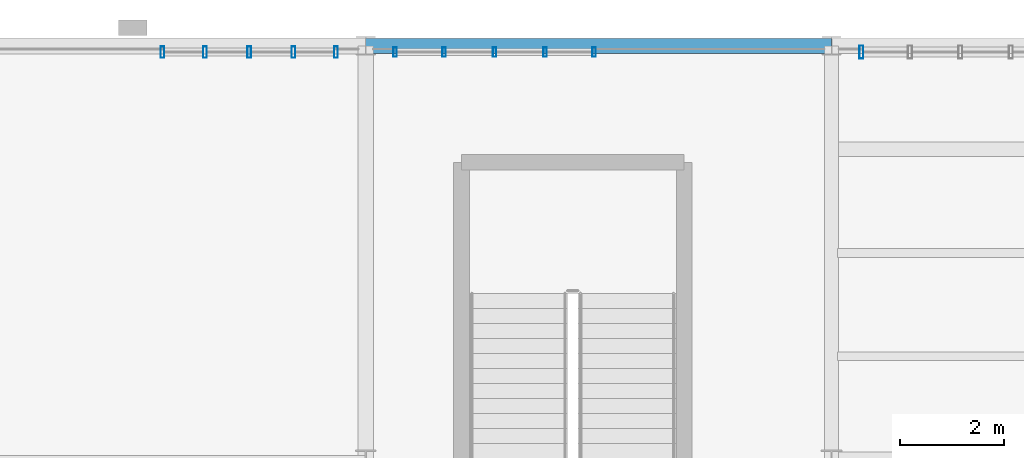
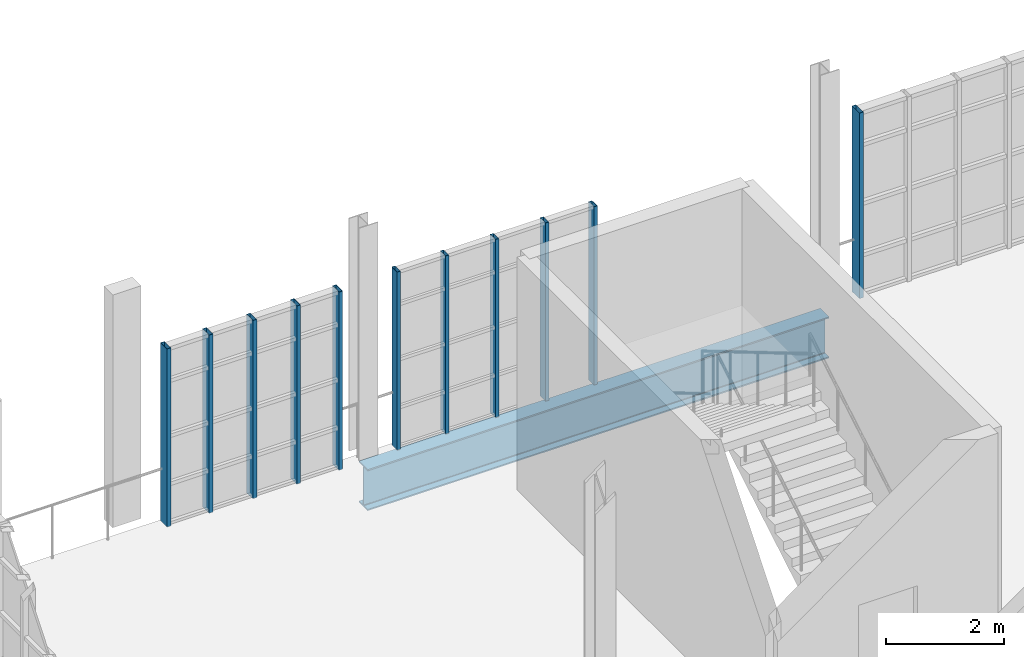
# One storey, part 48 of 122: 11 members, 1 beam, 3 elements without a shape of their own.
"""IFC4 building model written with IfcOpenShell, lengths in metres."""

from ifc_helpers import new_model, si_unit, direction, frame, origin, origin_2d, place, context, subcontext, project, spatial, hollow_rectangle, i_section, extrude, material, layer, layer_set, material_profile, profile_set, type_object, element, aggregate, save


model = new_model("IFC4")

# Units and contexts
model_context = context("Model", 3, precision=1e-05, world=origin(), true_north=direction((0.0, 1.0)))
body_context = subcontext(model_context, "Body", "Model", "MODEL_VIEW")
ifc_project = project(units=[si_unit("LENGTHUNIT", "METRE"), si_unit("AREAUNIT", "SQUARE_METRE"), si_unit("VOLUMEUNIT", "CUBIC_METRE"), si_unit("PLANEANGLEUNIT", "RADIAN"), si_unit("MASSUNIT", "GRAM", prefix="KILO"), si_unit("THERMODYNAMICTEMPERATUREUNIT", "KELVIN"), si_unit("POWERUNIT", "WATT")], contexts=[model_context])

# Site, building, storey
site_placement = place(None, origin())
site = spatial("IfcSite", under=ifc_project, at=site_placement, CompositionType="ELEMENT")
building_placement = place(site_placement, origin())
building = spatial("IfcBuilding", under=site, at=building_placement, Name="Zelmaris Science Centre", CompositionType="ELEMENT")
storey_placement = place(building_placement, frame((0.0, 0.0, 10.800048828125)))
storey = spatial("IfcBuildingStorey", under=building, at=storey_placement, Name="L02", CompositionType="ELEMENT", Elevation=10.800048828125)

# Curtain wall, members
ifc_material_1 = material(Name="Anodised architectural aluminium 6063-T6", Category="aluminium")
ifc_layer_1 = layer(ifc_material_1, 0.2099609375, Name="Anodised architectural aluminium 6063-T6")
ifc_layer_set_1 = layer_set([ifc_layer_1], Name="Anodised architectural aluminium 6063-T6")
curtain_wall_type_1 = type_object("IfcCurtainWallType", Name="Curtain Wall CW-03", PredefinedType="USERDEFINED", material=ifc_layer_set_1)
curtain_wall_1_placement = place(storey_placement, origin())
curtain_wall_1 = element("IfcCurtainWall", 1, at=curtain_wall_1_placement, inside=storey, type_object=curtain_wall_type_1, Name="L02 Unitised curtain wall 207", ObjectType="GLAZED CURTAIN WALL", PredefinedType="USERDEFINED")
ifc_material_profile_1 = material_profile(ifc_material_1, hollow_rectangle(XDim=0.06494140625, YDim=0.179931640625, WallThickness=0.00390625, at=origin_2d()), Name="ALU-MUL-65X180")
ifc_profile_set_1 = profile_set([ifc_material_profile_1], Name="Anodised architectural aluminium 6063-T6")
member_type_1 = type_object("IfcMemberType", Name="ALU-MUL-65X180", PredefinedType="MULLION", material=ifc_profile_set_1)
member_1_placement = place(storey_placement, frame((63.568603515625, 87.8798828125, -0.01513671875), z_axis=(0.0, 0.0, 1.0), x_axis=(1.0, 0.0, 0.0)))
member_1 = element("IfcMember", 2, at=member_1_placement, type_object=member_type_1, Name="CW-03 mullion 1", PredefinedType="MULLION", context=body_context, shape_type="SweptSolid", body=[
    extrude(hollow_rectangle(XDim=0.06494140625, YDim=0.179931640625, WallThickness=0.00390625, at=origin_2d()), origin(), (0.0, 0.0, 1.0), 3.67919921875),
])
member_2_placement = place(storey_placement, frame((64.514892578125, 87.8798828125, -0.01513671875), z_axis=(0.0, 0.0, 1.0), x_axis=(1.0, 0.0, 0.0)))
member_2 = element("IfcMember", 3, at=member_2_placement, type_object=member_type_1, Name="CW-03 mullion 2", PredefinedType="MULLION", context=body_context, shape_type="SweptSolid", body=[
    extrude(hollow_rectangle(XDim=0.06494140625, YDim=0.179931640625, WallThickness=0.00390625, at=origin_2d()), origin(), (0.0, 0.0, 1.0), 3.67919921875),
])
member_3_placement = place(storey_placement, frame((65.489990234375, 87.8798828125, -0.01513671875), z_axis=(0.0, 0.0, 1.0), x_axis=(1.0, 0.0, 0.0)))
member_3 = element("IfcMember", 4, at=member_3_placement, type_object=member_type_1, Name="CW-03 mullion 3", PredefinedType="MULLION", context=body_context, shape_type="SweptSolid", body=[
    extrude(hollow_rectangle(XDim=0.06494140625, YDim=0.179931640625, WallThickness=0.00390625, at=origin_2d()), origin(), (0.0, 0.0, 1.0), 3.67919921875),
])
member_4_placement = place(storey_placement, frame((66.465087890625, 87.8798828125, -0.01513671875), z_axis=(0.0, 0.0, 1.0), x_axis=(1.0, 0.0, 0.0)))
member_4 = element("IfcMember", 5, at=member_4_placement, type_object=member_type_1, Name="CW-03 mullion 4", PredefinedType="MULLION", context=body_context, shape_type="SweptSolid", body=[
    extrude(hollow_rectangle(XDim=0.06494140625, YDim=0.179931640625, WallThickness=0.00390625, at=origin_2d()), origin(), (0.0, 0.0, 1.0), 3.67919921875),
])
member_5_placement = place(storey_placement, frame((67.41162109375, 87.8798828125, -0.01513671875), z_axis=(0.0, 0.0, 1.0), x_axis=(1.0, 0.0, 0.0)))
member_5 = element("IfcMember", 6, at=member_5_placement, type_object=member_type_1, Name="CW-03 mullion 5", PredefinedType="MULLION", context=body_context, shape_type="SweptSolid", body=[
    extrude(hollow_rectangle(XDim=0.06494140625, YDim=0.179931640625, WallThickness=0.00390625, at=origin_2d()), origin(), (0.0, 0.0, 1.0), 3.67919921875),
])
aggregate(curtain_wall_1, [member_1, member_2, member_3, member_4, member_5])

ifc_layer_2 = layer(ifc_material_1, 0.199951171875, Name="Anodised architectural aluminium 6063-T6")
ifc_layer_set_2 = layer_set([ifc_layer_2], Name="Anodised architectural aluminium 6063-T6")
curtain_wall_type_2 = type_object("IfcCurtainWallType", Name="Curtain Wall CW-02", PredefinedType="USERDEFINED", material=ifc_layer_set_2)
curtain_wall_2_placement = place(storey_placement, origin())
curtain_wall_2 = element("IfcCurtainWall", 7, at=curtain_wall_2_placement, inside=storey, type_object=curtain_wall_type_2, Name="L02 Unitised curtain wall 206", ObjectType="GLAZED CURTAIN WALL", PredefinedType="USERDEFINED")
ifc_material_profile_2 = material_profile(ifc_material_1, hollow_rectangle(XDim=0.074951171875, YDim=0.219970703125, WallThickness=0.0048828125, at=origin_2d()), Name="ALU-MUL-75X220")
ifc_profile_set_2 = profile_set([ifc_material_profile_2], Name="Anodised architectural aluminium 6063-T6")
member_type_2 = type_object("IfcMemberType", Name="ALU-MUL-75X220", PredefinedType="MULLION", material=ifc_profile_set_2)
member_6_placement = place(storey_placement, frame((59.073486328125, 87.8798828125, -0.01513671875), z_axis=(0.0, 0.0, 1.0), x_axis=(1.0, 0.0, 0.0)))
member_6 = element("IfcMember", 8, at=member_6_placement, type_object=member_type_2, Name="CW-02 mullion 1", PredefinedType="MULLION", context=body_context, shape_type="SweptSolid", body=[
    extrude(hollow_rectangle(XDim=0.074951171875, YDim=0.219970703125, WallThickness=0.0048828125, at=origin_2d()), origin(), (0.0, 0.0, 1.0), 3.67919921875),
])
member_7_placement = place(storey_placement, frame((59.89501953125, 87.8798828125, -0.01513671875), z_axis=(0.0, 0.0, 1.0), x_axis=(1.0, 0.0, 0.0)))
member_7 = element("IfcMember", 9, at=member_7_placement, type_object=member_type_2, Name="CW-02 mullion 2", PredefinedType="MULLION", context=body_context, shape_type="SweptSolid", body=[
    extrude(hollow_rectangle(XDim=0.074951171875, YDim=0.219970703125, WallThickness=0.0048828125, at=origin_2d()), origin(), (0.0, 0.0, 1.0), 3.67919921875),
])
member_8_placement = place(storey_placement, frame((60.75, 87.8798828125, -0.01513671875), z_axis=(0.0, 0.0, 1.0), x_axis=(1.0, 0.0, 0.0)))
member_8 = element("IfcMember", 10, at=member_8_placement, type_object=member_type_2, Name="CW-02 mullion 3", PredefinedType="MULLION", context=body_context, shape_type="SweptSolid", body=[
    extrude(hollow_rectangle(XDim=0.074951171875, YDim=0.219970703125, WallThickness=0.0048828125, at=origin_2d()), origin(), (0.0, 0.0, 1.0), 3.67919921875),
])
member_9_placement = place(storey_placement, frame((61.60498046875, 87.8798828125, -0.01513671875), z_axis=(0.0, 0.0, 1.0), x_axis=(1.0, 0.0, 0.0)))
member_9 = element("IfcMember", 11, at=member_9_placement, type_object=member_type_2, Name="CW-02 mullion 4", PredefinedType="MULLION", context=body_context, shape_type="SweptSolid", body=[
    extrude(hollow_rectangle(XDim=0.074951171875, YDim=0.219970703125, WallThickness=0.0048828125, at=origin_2d()), origin(), (0.0, 0.0, 1.0), 3.67919921875),
])
member_10_placement = place(storey_placement, frame((62.426513671875, 87.8798828125, -0.01513671875), z_axis=(0.0, 0.0, 1.0), x_axis=(1.0, 0.0, 0.0)))
member_10 = element("IfcMember", 12, at=member_10_placement, type_object=member_type_2, Name="CW-02 mullion 5", PredefinedType="MULLION", context=body_context, shape_type="SweptSolid", body=[
    extrude(hollow_rectangle(XDim=0.074951171875, YDim=0.219970703125, WallThickness=0.0048828125, at=origin_2d()), origin(), (0.0, 0.0, 1.0), 3.67919921875),
])
aggregate(curtain_wall_2, [member_6, member_7, member_8, member_9, member_10])

# Curtain wall, member
ifc_layer_3 = layer(ifc_material_1, 0.18994140625, Name="Anodised architectural aluminium 6063-T6")
ifc_layer_set_3 = layer_set([ifc_layer_3], Name="Anodised architectural aluminium 6063-T6")
curtain_wall_type_3 = type_object("IfcCurtainWallType", Name="Curtain Wall CW-01", PredefinedType="USERDEFINED", material=ifc_layer_set_3)
curtain_wall_3_placement = place(storey_placement, origin())
curtain_wall_3 = element("IfcCurtainWall", 13, at=curtain_wall_3_placement, inside=storey, type_object=curtain_wall_type_3, Name="L02 Unitised curtain wall 209", ObjectType="GLAZED CURTAIN WALL", PredefinedType="USERDEFINED")
ifc_material_profile_3 = material_profile(ifc_material_1, hollow_rectangle(XDim=0.080078125, YDim=0.25, WallThickness=0.0048828125, at=origin_2d()), Name="ALU-MUL-80X250")
ifc_profile_set_3 = profile_set([ifc_material_profile_3], Name="Anodised architectural aluminium 6063-T6")
member_type_3 = type_object("IfcMemberType", Name="ALU-MUL-80X250", PredefinedType="MULLION", material=ifc_profile_set_3)
member_11_placement = place(storey_placement, frame((72.575927734375, 87.8798828125, -0.01513671875), z_axis=(0.0, 0.0, 1.0), x_axis=(1.0, 0.0, 0.0)))
member_11 = element("IfcMember", 14, at=member_11_placement, type_object=member_type_3, Name="CW-01 mullion 1", PredefinedType="MULLION", context=body_context, shape_type="SweptSolid", body=[
    extrude(hollow_rectangle(XDim=0.080078125, YDim=0.25, WallThickness=0.0048828125, at=origin_2d()), origin(), (0.0, 0.0, 1.0), 3.8271484375),
])
aggregate(curtain_wall_3, [member_11])

# Beam
ifc_material_2 = material(Name="Steel ASTM A992 Grade 50", Category="steel")
ifc_material_profile_4 = material_profile(ifc_material_2, i_section(OverallWidth=0.294921875, OverallDepth=0.85107421875, WebThickness=0.01611328125, FlangeThickness=0.02685546875, FilletRadius=0.02001953125, at=origin_2d()), Name="W33X152")
ifc_profile_set_4 = profile_set([ifc_material_profile_4], Name="Steel ASTM A992 Grade 50")
beam_type = type_object("IfcBeamType", Name="Beam G-06 W33X152", PredefinedType="BEAM", material=ifc_profile_set_4)
beam_placement = place(storey_placement, frame((63.0, 88.0, -0.685546875), z_axis=(1.0, 0.0, 0.0), x_axis=(0.0, 1.0, 0.0)))
element("IfcBeam", 15, at=beam_placement, inside=storey, type_object=beam_type, Name="L02 East-west girder 591", PredefinedType="BEAM", context=body_context, shape_type="SweptSolid", body=[
    extrude(i_section(OverallWidth=0.294921875, OverallDepth=0.85107421875, WebThickness=0.01611328125, FlangeThickness=0.02685546875, FilletRadius=0.02001953125, at=origin_2d()), origin(), (0.0, 0.0, 1.0), 9.0),
])

save(model, "model.ifc")
